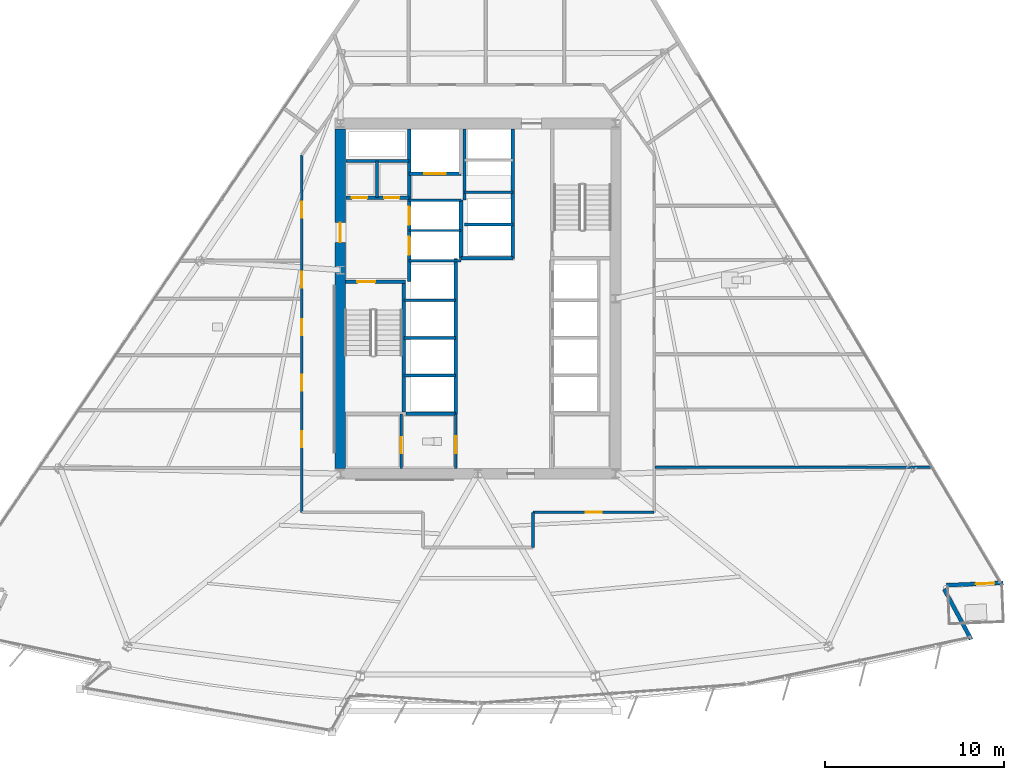
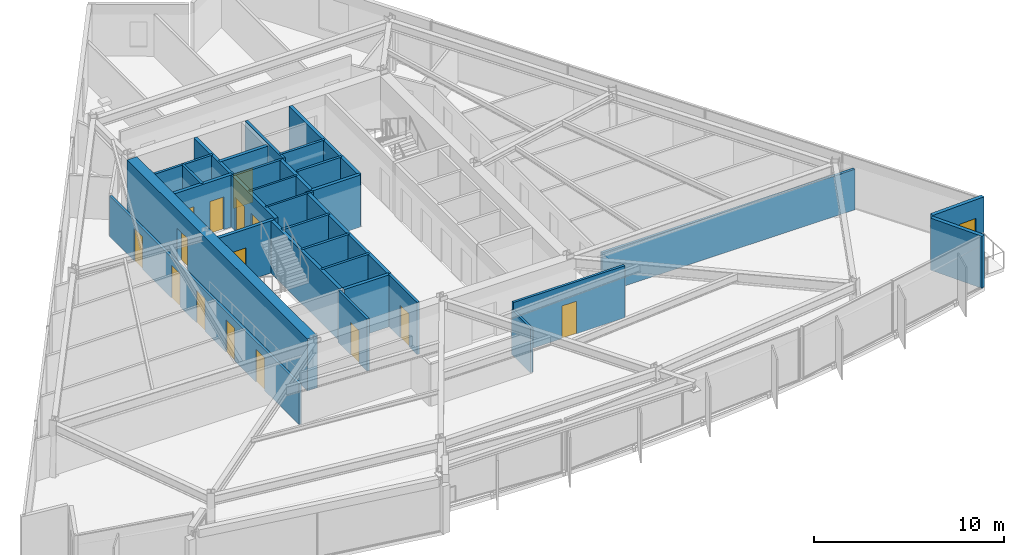
# One storey, part 9 of 17: 30 walls, 16 doors, 16 openings.
"""IFC4 building model written with IfcOpenShell, lengths in metres."""

from ifc_helpers import new_model, si_unit, direction, frame, frame_2d, origin, place, context, subcontext, project, spatial, rectangle, extrude, material, layer, layer_set, type_object, element, fill, save


model = new_model("IFC4")

# Units and contexts
model_context = context("Model", 3, precision=1e-05, world=origin(), true_north=direction((0.0, 1.0)))
body_context = subcontext(model_context, "Body", "Model", "MODEL_VIEW")
ifc_project = project(units=[si_unit("LENGTHUNIT", "METRE"), si_unit("AREAUNIT", "SQUARE_METRE"), si_unit("VOLUMEUNIT", "CUBIC_METRE"), si_unit("PLANEANGLEUNIT", "RADIAN"), si_unit("MASSUNIT", "GRAM", prefix="KILO")], contexts=[model_context])

# Site, building, storey
site_placement = place(None, origin())
site = spatial("IfcSite", under=ifc_project, at=site_placement, CompositionType="ELEMENT")
building_placement = place(site_placement, origin())
building = spatial("IfcBuilding", under=site, at=building_placement, Name="Savorim Split Tower", CompositionType="ELEMENT")
storey_placement = place(building_placement, frame((0.0, 0.0, 62.39990234375)))
storey = spatial("IfcBuildingStorey", under=building, at=storey_placement, Name="L16", CompositionType="ELEMENT", Elevation=62.39990234375)

# Wall, opening, door
ifc_material_1 = material(Name="Concrete C60/75", Category="concrete")
ifc_layer_1 = layer(ifc_material_1, 0.60009765625)
ifc_layer_set_1 = layer_set([ifc_layer_1], Name="WAL-COR-SH600")
wall_type_1 = type_object("IfcWallType", Name="WAL-COR-SH600", PredefinedType="SHEAR", material=ifc_layer_set_1)
wall_1_placement = place(storey_placement, frame((-7.699951171875, -9.10009765625, 0.0), z_axis=(0.0, 0.0, 1.0), x_axis=(0.0, 1.0, 0.0)))
wall_1 = element("IfcWall", 1, at=wall_1_placement, inside=storey, type_object=wall_type_1, Name="L16 Offset Core West Shear Wall", PredefinedType="SHEAR", context=body_context, shape_type="SweptSolid", body=[
    extrude(rectangle(XDim=19.0, YDim=0.60009765625, at=frame_2d((9.5, 0.0))), origin(), (0.0, 0.0, 1.0), 3.35009765625),
])
opening_1_placement = place(wall_1_placement, frame((12.64990234375, 0.0, 0.0)))
opening_1 = element("IfcOpeningElement", 2, at=opening_1_placement, cuts=wall_1, Name="Opening DI-03", PredefinedType="OPENING", context=body_context, shape_type="SweptSolid", body=[
    extrude(rectangle(XDim=1.10009765625, YDim=2.14990234375, at=frame_2d((0.550048828125, 1.074951171875))), frame((0.0, 0.31005859375, 0.0), z_axis=(0.0, -1.0, 0.0), x_axis=(1.0, 0.0, 0.0)), (0.0, 0.0, 1.0), 0.6201171875),
])
ifc_material_2 = material(Name="Timber Fire Door Leaf", Category="wood")
door_type_1 = type_object("IfcDoorType", Name="DOR-FIR-1100", OperationType="NOTDEFINED", PredefinedType="DOOR", material=ifc_material_2)
door_1_placement = place(opening_1_placement, origin())
door_1 = element("IfcDoor", 3, at=door_1_placement, inside=storey, type_object=door_type_1, Name="DOR-L16-COR-FFLOB - L16 Firefighting Lobby Corridor Door", OperationType="SINGLE_SWING_RIGHT", OverallHeight=2.14990234375, OverallWidth=1.10009765625, PredefinedType="DOOR", context=body_context, shape_type="SweptSolid", body=[
    extrude(rectangle(XDim=1.10009765625, YDim=2.14990234375, at=frame_2d((0.550048828125, 1.074951171875))), frame((0.0, 0.02490234375, 0.0), z_axis=(0.0, -1.0, 0.0), x_axis=(1.0, 0.0, 0.0)), (0.0, 0.0, 1.0), 0.050048828125),
])
fill(opening_1, door_1)

# Wall
ifc_material_3 = material(Name="Precast concrete C40/50", Category="concrete")
ifc_layer_2 = layer(ifc_material_3, 0.219970703125)
ifc_layer_set_2 = layer_set([ifc_layer_2], Name="WAL-EXT-CRN220")
wall_type_2 = type_object("IfcWallType", Name="WAL-EXT-CRN220", PredefinedType="SOLIDWALL", material=ifc_layer_set_2)
wall_2_placement = place(storey_placement, frame((26.085693359375, -15.852294921875, 0.0), z_axis=(0.0, 0.0, 1.0), x_axis=(0.472775670204, -0.881182821929, 0.0)))
element("IfcWall", 4, at=wall_2_placement, inside=storey, type_object=wall_type_2, Name="L16 Notched Corner Facade Wall SE1", PredefinedType="SOLIDWALL", context=body_context, shape_type="SweptSolid", body=[
    extrude(rectangle(XDim=3.189697265625, YDim=0.219970703125, at=frame_2d((1.5947265625, 0.0))), origin(), (0.0, 0.0, 1.0), 3.35009765625),
])

# Wall, opening, door
wall_3_placement = place(storey_placement, frame((29.39111328125, -15.50341796875, 0.0), z_axis=(0.0, 0.0, 1.0), x_axis=(-0.999095632957, -0.042519597906, 0.0)))
wall_3 = element("IfcWall", 5, at=wall_3_placement, inside=storey, type_object=wall_type_2, Name="L16 Notched Corner Facade Wall SE", PredefinedType="SOLIDWALL", context=body_context, shape_type="SweptSolid", body=[
    extrude(rectangle(XDim=3.186767578125, YDim=0.219970703125, at=frame_2d((1.59326171875, 0.0))), origin(), (0.0, 0.0, 1.0), 3.35009765625),
])
opening_2_placement = place(wall_3_placement, frame((0.48828125, 0.0, 0.0)))
opening_2 = element("IfcOpeningElement", 6, at=opening_2_placement, cuts=wall_3, Name="Opening DB-01", PredefinedType="OPENING", context=body_context, shape_type="SweptSolid", body=[
    extrude(rectangle(XDim=1.050048828125, YDim=2.14990234375, at=frame_2d((0.52490234375, 1.074951171875))), frame((0.0, 0.119873046875, 0.0), z_axis=(0.0, -1.0, 0.0), x_axis=(1.0, 0.0, 0.0)), (0.0, 0.0, 1.0), 0.239990234375),
])
ifc_material_4 = material(Name="Charcoal Anodised Aluminium", Category="aluminium")
door_type_2 = type_object("IfcDoorType", Name="DOR-BAL-1050", OperationType="NOTDEFINED", PredefinedType="DOOR", material=ifc_material_4)
door_2_placement = place(opening_2_placement, origin())
door_2 = element("IfcDoor", 7, at=door_2_placement, inside=storey, type_object=door_type_2, Name="DOR-L16-TBAL-SE - L16 Planted Tree Balcony Door SE", OperationType="SINGLE_SWING_LEFT", OverallHeight=2.14990234375, OverallWidth=1.050048828125, PredefinedType="DOOR", context=body_context, shape_type="SweptSolid", body=[
    extrude(rectangle(XDim=1.050048828125, YDim=2.14990234375, at=frame_2d((0.52490234375, 1.074951171875))), frame((0.0, 0.02490234375, 0.0), z_axis=(0.0, -1.0, 0.0), x_axis=(1.0, 0.0, 0.0)), (0.0, 0.0, 1.0), 0.050048828125),
])
fill(opening_2, door_2)

ifc_material_5 = material(Name="Concrete C50/60", Category="concrete")
ifc_layer_3 = layer(ifc_material_5, 0.199951171875)
ifc_layer_set_3 = layer_set([ifc_layer_3], Name="WAL-INT-RC200")
wall_type_3 = type_object("IfcWallType", Name="WAL-INT-RC200", PredefinedType="SOLIDWALL", material=ifc_layer_set_3)
wall_4_placement = place(storey_placement, frame((-7.39990234375, 1.35009765625, 0.0), z_axis=(0.0, 0.0, 1.0), x_axis=(1.0, 0.0, 0.0)))
wall_4 = element("IfcWall", 8, at=wall_4_placement, inside=storey, type_object=wall_type_3, Name="L16 Structural Shaft Wall W-L16-CR01", PredefinedType="SOLIDWALL", context=body_context, shape_type="SweptSolid", body=[
    extrude(rectangle(XDim=3.349853515625, YDim=0.199951171875, at=frame_2d((1.6748046875, 0.0))), origin(), (0.0, 0.0, 1.0), 3.35009765625),
])
opening_3_placement = place(wall_4_placement, frame((0.64990234375, 0.0, 0.0)))
opening_3 = element("IfcOpeningElement", 9, at=opening_3_placement, cuts=wall_4, Name="Opening DI-04", PredefinedType="OPENING", context=body_context, shape_type="SweptSolid", body=[
    extrude(rectangle(XDim=1.0, YDim=2.14990234375, at=frame_2d((0.5, 1.074951171875))), frame((0.0, 0.10986328125, 0.0), z_axis=(0.0, -1.0, 0.0), x_axis=(1.0, 0.0, 0.0)), (0.0, 0.0, 1.0), 0.219970703125),
])
door_type_3 = type_object("IfcDoorType", Name="DOR-FIR-1000", OperationType="NOTDEFINED", PredefinedType="DOOR", material=ifc_material_2)
door_3_placement = place(opening_3_placement, origin())
door_3 = element("IfcDoor", 10, at=door_3_placement, inside=storey, type_object=door_type_3, Name="DR-L16-ST1 - L16 Stair ST-1 Enclosure Door", OperationType="SINGLE_SWING_LEFT", OverallHeight=2.14990234375, OverallWidth=1.0, PredefinedType="DOOR", context=body_context, shape_type="SweptSolid", body=[
    extrude(rectangle(XDim=1.0, YDim=2.14990234375, at=frame_2d((0.5, 1.074951171875))), frame((0.0, 0.02490234375, 0.0), z_axis=(0.0, -1.0, 0.0), x_axis=(1.0, 0.0, 0.0)), (0.0, 0.0, 1.0), 0.050048828125),
])
fill(opening_3, door_3)

# Wall
wall_5_placement = place(storey_placement, frame((-4.14990234375, -5.949951171875, 0.0), z_axis=(0.0, 0.0, 1.0), x_axis=(0.0, 1.0, 0.0)))
element("IfcWall", 11, at=wall_5_placement, inside=storey, type_object=wall_type_3, Name="L16 Structural Shaft Wall W-L16-CR02", PredefinedType="SOLIDWALL", context=body_context, shape_type="SweptSolid", body=[
    extrude(rectangle(XDim=7.199951171875, YDim=0.199951171875, at=frame_2d((3.60009765625, 0.0))), origin(), (0.0, 0.0, 1.0), 3.35009765625),
])

# Wall, openings, doors
wall_6_placement = place(storey_placement, frame((-3.85009765625, 1.35009765625, 0.0), z_axis=(0.0, 0.0, 1.0), x_axis=(0.0, 1.0, 0.0)))
wall_6 = element("IfcWall", 12, at=wall_6_placement, inside=storey, type_object=wall_type_3, Name="L16 Partition W-L16-CR03", PredefinedType="SOLIDWALL", context=body_context, shape_type="SweptSolid", body=[
    extrude(rectangle(XDim=8.544921875, YDim=0.199951171875, at=frame_2d((4.2724609375, 0.0))), origin(), (0.0, 0.0, 1.0), 3.35009765625),
])
opening_4_placement = place(wall_6_placement, frame((1.5, 0.0, 0.0)))
opening_4 = element("IfcOpeningElement", 13, at=opening_4_placement, cuts=wall_6, Name="Opening LD-FFL", PredefinedType="OPENING", context=body_context, shape_type="SweptSolid", body=[
    extrude(rectangle(XDim=1.0, YDim=2.14990234375, at=frame_2d((0.5, 1.074951171875))), frame((0.0, 0.10986328125, 0.0), z_axis=(0.0, -1.0, 0.0), x_axis=(1.0, 0.0, 0.0)), (0.0, 0.0, 1.0), 0.219970703125),
])
opening_5_placement = place(wall_6_placement, frame((3.179931640625, 0.0, 0.0)))
opening_5 = element("IfcOpeningElement", 14, at=opening_5_placement, cuts=wall_6, Name="Opening LD-FFL", PredefinedType="OPENING", context=body_context, shape_type="SweptSolid", body=[
    extrude(rectangle(XDim=1.0, YDim=2.14990234375, at=frame_2d((0.5, 1.074951171875))), frame((0.0, 0.10986328125, 0.0), z_axis=(0.0, -1.0, 0.0), x_axis=(1.0, 0.0, 0.0)), (0.0, 0.0, 1.0), 0.219970703125),
])
door_type_4 = type_object("IfcDoorType", Name="DOR-SLD-LD1000", OperationType="NOTDEFINED", PredefinedType="DOOR", material=ifc_material_4)
door_4_placement = place(opening_4_placement, origin())
door_4 = element("IfcDoor", 15, at=door_4_placement, inside=storey, type_object=door_type_4, Name="DR-L16-LD-FFL1 - L16 Firefighting Lift FFL-1 Sliding Landing Door", OperationType="DOUBLE_DOOR_SLIDING", OverallHeight=2.14990234375, OverallWidth=1.0, PredefinedType="DOOR", context=body_context, shape_type="SweptSolid", body=[
    extrude(rectangle(XDim=1.0, YDim=2.14990234375, at=frame_2d((0.5, 1.074951171875))), frame((0.0, 0.02490234375, 0.0), z_axis=(0.0, -1.0, 0.0), x_axis=(1.0, 0.0, 0.0)), (0.0, 0.0, 1.0), 0.050048828125),
])
fill(opening_4, door_4)
door_5_placement = place(opening_5_placement, origin())
door_5 = element("IfcDoor", 16, at=door_5_placement, inside=storey, type_object=door_type_4, Name="DR-L16-LD-FFL2 - L16 Firefighting Lift FFL-2 Sliding Landing Door", OperationType="DOUBLE_DOOR_SLIDING", OverallHeight=2.14990234375, OverallWidth=1.0, PredefinedType="DOOR", context=body_context, shape_type="SweptSolid", body=[
    extrude(rectangle(XDim=1.0, YDim=2.14990234375, at=frame_2d((0.5, 1.074951171875))), frame((0.0, 0.02490234375, 0.0), z_axis=(0.0, -1.0, 0.0), x_axis=(1.0, 0.0, 0.0)), (0.0, 0.0, 1.0), 0.050048828125),
])
fill(opening_5, door_5)

wall_7_placement = place(storey_placement, frame((-7.39501953125, 6.050048828125, 0.0), z_axis=(0.0, 0.0, 1.0), x_axis=(1.0, 0.0, 0.0)))
wall_7 = element("IfcWall", 17, at=wall_7_placement, inside=storey, type_object=wall_type_3, Name="L16 Partition W-L16-CR04", PredefinedType="SOLIDWALL", context=body_context, shape_type="SweptSolid", body=[
    extrude(rectangle(XDim=3.544921875, YDim=0.199951171875, at=frame_2d((1.7724609375, 0.0))), origin(), (0.0, 0.0, 1.0), 3.35009765625),
])
opening_6_placement = place(wall_7_placement, frame((0.344970703125, 0.0, 0.0)))
opening_6 = element("IfcOpeningElement", 18, at=opening_6_placement, cuts=wall_7, Name="Opening DI-12", PredefinedType="OPENING", context=body_context, shape_type="SweptSolid", body=[
    extrude(rectangle(XDim=0.85009765625, YDim=2.10009765625, at=frame_2d((0.425048828125, 1.050048828125))), frame((0.0, 0.10986328125, 0.0), z_axis=(0.0, -1.0, 0.0), x_axis=(1.0, 0.0, 0.0)), (0.0, 0.0, 1.0), 0.219970703125),
])
opening_7_placement = place(wall_7_placement, frame((2.14501953125, 0.0, 0.0)))
opening_7 = element("IfcOpeningElement", 19, at=opening_7_placement, cuts=wall_7, Name="Opening DI-12", PredefinedType="OPENING", context=body_context, shape_type="SweptSolid", body=[
    extrude(rectangle(XDim=0.85009765625, YDim=2.10009765625, at=frame_2d((0.425048828125, 1.050048828125))), frame((0.0, 0.10986328125, 0.0), z_axis=(0.0, -1.0, 0.0), x_axis=(1.0, 0.0, 0.0)), (0.0, 0.0, 1.0), 0.219970703125),
])
ifc_material_6 = material(Name="Galvanised Painted Steel Balustrade", Category="steel")
door_type_5 = type_object("IfcDoorType", Name="DOR-RIS-850", OperationType="NOTDEFINED", PredefinedType="DOOR", material=ifc_material_6)
door_6_placement = place(opening_6_placement, origin())
door_6 = element("IfcDoor", 20, at=door_6_placement, inside=storey, type_object=door_type_5, Name="DR-L16-ELR - L16 Electrical Riser Access Door", OperationType="SINGLE_SWING_RIGHT", OverallHeight=2.10009765625, OverallWidth=0.85009765625, PredefinedType="DOOR", context=body_context, shape_type="SweptSolid", body=[
    extrude(rectangle(XDim=0.85009765625, YDim=2.10009765625, at=frame_2d((0.425048828125, 1.050048828125))), frame((0.0, 0.02490234375, 0.0), z_axis=(0.0, -1.0, 0.0), x_axis=(1.0, 0.0, 0.0)), (0.0, 0.0, 1.0), 0.050048828125),
])
fill(opening_6, door_6)
door_7_placement = place(opening_7_placement, origin())
door_7 = element("IfcDoor", 21, at=door_7_placement, inside=storey, type_object=door_type_5, Name="DR-L16-TLR - L16 Telecom Riser Access Door", OperationType="SINGLE_SWING_LEFT", OverallHeight=2.10009765625, OverallWidth=0.85009765625, PredefinedType="DOOR", context=body_context, shape_type="SweptSolid", body=[
    extrude(rectangle(XDim=0.85009765625, YDim=2.10009765625, at=frame_2d((0.425048828125, 1.050048828125))), frame((0.0, 0.02490234375, 0.0), z_axis=(0.0, -1.0, 0.0), x_axis=(1.0, 0.0, 0.0)), (0.0, 0.0, 1.0), 0.050048828125),
])
fill(opening_7, door_7)

# Wall
wall_8_placement = place(storey_placement, frame((-0.949951171875, 2.64990234375, 0.0), z_axis=(0.0, 0.0, 1.0), x_axis=(0.0, 1.0, 0.0)))
element("IfcWall", 22, at=wall_8_placement, inside=storey, type_object=wall_type_3, Name="L16 Partition W-L16-FFLW", PredefinedType="SOLIDWALL", context=body_context, shape_type="SweptSolid", body=[
    extrude(rectangle(XDim=3.27001953125, YDim=0.199951171875, at=frame_2d((1.635009765625, 0.0))), origin(), (0.0, 0.0, 1.0), 3.35009765625),
])

# Wall, opening, door
wall_9_placement = place(storey_placement, frame((-3.85009765625, 7.3798828125, 0.0), z_axis=(0.0, 0.0, 1.0), x_axis=(1.0, 0.0, 0.0)))
wall_9 = element("IfcWall", 23, at=wall_9_placement, inside=storey, type_object=wall_type_3, Name="L16 Partition W-L16-SVLS", PredefinedType="SOLIDWALL", context=body_context, shape_type="SweptSolid", body=[
    extrude(rectangle(XDim=2.900146484375, YDim=0.199951171875, at=frame_2d((1.4501953125, 0.0))), origin(), (0.0, 0.0, 1.0), 3.35009765625),
])
opening_8_placement = place(wall_9_placement, frame((0.85009765625, 0.0, 0.0)))
opening_8 = element("IfcOpeningElement", 24, at=opening_8_placement, cuts=wall_9, Name="Opening LD-SV", PredefinedType="OPENING", context=body_context, shape_type="SweptSolid", body=[
    extrude(rectangle(XDim=1.199951171875, YDim=2.199951171875, at=frame_2d((0.60009765625, 1.10009765625))), frame((0.0, 0.10986328125, 0.0), z_axis=(0.0, -1.0, 0.0), x_axis=(1.0, 0.0, 0.0)), (0.0, 0.0, 1.0), 0.219970703125),
])
door_type_6 = type_object("IfcDoorType", Name="DOR-SLD-SV1200", OperationType="NOTDEFINED", PredefinedType="DOOR", material=ifc_material_4)
door_8_placement = place(opening_8_placement, origin())
door_8 = element("IfcDoor", 25, at=door_8_placement, inside=storey, type_object=door_type_6, Name="DR-L16-LD-SVL1 - L16 Service Lift SVL-1 Sliding Landing Door", OperationType="DOUBLE_DOOR_SLIDING", OverallHeight=2.199951171875, OverallWidth=1.199951171875, PredefinedType="DOOR", context=body_context, shape_type="SweptSolid", body=[
    extrude(rectangle(XDim=1.199951171875, YDim=2.199951171875, at=frame_2d((0.60009765625, 1.10009765625))), frame((0.0, 0.02490234375, 0.0), z_axis=(0.0, -1.0, 0.0), x_axis=(1.0, 0.0, 0.0)), (0.0, 0.0, 1.0), 0.050048828125),
])
fill(opening_8, door_8)

# Walls
wall_10_placement = place(storey_placement, frame((-1.25, -6.050048828125, 0.0), z_axis=(0.0, 0.0, 1.0), x_axis=(0.0, 1.0, 0.0)))
element("IfcWall", 26, at=wall_10_placement, inside=storey, type_object=wall_type_3, Name="L16 Partition W-L16-B2FRONT", PredefinedType="SOLIDWALL", context=body_context, shape_type="SweptSolid", body=[
    extrude(rectangle(XDim=8.699951171875, YDim=0.199951171875, at=frame_2d((4.35009765625, 0.0))), origin(), (0.0, 0.0, 1.0), 3.35009765625),
])
wall_11_placement = place(storey_placement, frame((1.949951171875, 2.64990234375, 0.0), z_axis=(0.0, 0.0, 1.0), x_axis=(0.0, 1.0, 0.0)))
element("IfcWall", 27, at=wall_11_placement, inside=storey, type_object=wall_type_3, Name="L16 Partition W-L16-B3FRONT", PredefinedType="SOLIDWALL", context=body_context, shape_type="SweptSolid", body=[
    extrude(rectangle(XDim=7.2451171875, YDim=0.199951171875, at=frame_2d((3.62255859375, 0.0))), origin(), (0.0, 0.0, 1.0), 3.35009765625),
])
wall_12_placement = place(storey_placement, frame((-0.949951171875, 2.64990234375, 0.0), z_axis=(0.0, 0.0, 1.0), x_axis=(1.0, 0.0, 0.0)))
element("IfcWall", 28, at=wall_12_placement, inside=storey, type_object=wall_type_3, Name="L16 Partition W-L16-B3SOUTH", PredefinedType="SOLIDWALL", context=body_context, shape_type="SweptSolid", body=[
    extrude(rectangle(XDim=2.89990234375, YDim=0.199951171875, at=frame_2d((1.449951171875, 0.0))), origin(), (0.0, 0.0, 1.0), 3.35009765625),
])
wall_13_placement = place(storey_placement, frame((-4.0400390625, -6.050048828125, 0.0), z_axis=(0.0, 0.0, 1.0), x_axis=(1.0, 0.0, 0.0)))
element("IfcWall", 29, at=wall_13_placement, inside=storey, type_object=wall_type_3, Name="L16 Partition W-L16-KSEP-W2", PredefinedType="SOLIDWALL", context=body_context, shape_type="SweptSolid", body=[
    extrude(rectangle(XDim=2.7900390625, YDim=0.199951171875, at=frame_2d((1.39501953125, 0.0))), origin(), (0.0, 0.0, 1.0), 3.35009765625),
])
ifc_material_7 = material(Name="Acoustic Gypsum Partition Board")
ifc_layer_4 = layer(ifc_material_7, 0.1201171875)
ifc_layer_set_4 = layer_set([ifc_layer_4], Name="WAL-PAR-120")
wall_type_4 = type_object("IfcWallType", Name="WAL-PAR-120", PredefinedType="PARTITIONING", material=ifc_layer_set_4)
for number, where, z_axis, x_axis, name in (
    (30, (-3.85009765625, 2.52001953125, 0.0), (0.0, 0.0, 1.0), (1.0, 0.0, 0.0), "L16 Partition W-L16-FFLD0"),
    (31, (-3.85009765625, 4.219970703125, 0.0), (0.0, 0.0, 1.0), (1.0, 0.0, 0.0), "L16 Partition W-L16-FFLD1"),
):
    element("IfcWall", number, at=place(storey_placement, frame(where, z_axis=z_axis, x_axis=x_axis)), inside=storey, type_object=wall_type_4, Name=name, PredefinedType="PARTITIONING", context=body_context, shape_type="SweptSolid", body=[
        extrude(rectangle(XDim=2.900146484375, YDim=0.1201171875, at=frame_2d((1.4501953125, 0.0))), origin(), (0.0, 0.0, 1.0), 3.35009765625),
    ])
ifc_layer_5 = layer(ifc_material_7, 0.14990234375)
ifc_layer_set_5 = layer_set([ifc_layer_5], Name="WAL-PAR-150")
wall_type_5 = type_object("IfcWallType", Name="WAL-PAR-150", PredefinedType="PARTITIONING", material=ifc_layer_set_5)
wall_14_placement = place(storey_placement, frame((-7.39501953125, 8.10009765625, 0.0), z_axis=(0.0, 0.0, 1.0), x_axis=(1.0, 0.0, 0.0)))
element("IfcWall", 32, at=wall_14_placement, inside=storey, type_object=wall_type_5, Name="L16 Partition W-L16-CR05", PredefinedType="PARTITIONING", context=body_context, shape_type="SweptSolid", body=[
    extrude(rectangle(XDim=3.544921875, YDim=0.14990234375, at=frame_2d((1.7724609375, 0.0))), origin(), (0.0, 0.0, 1.0), 3.35009765625),
])
wall_15_placement = place(storey_placement, frame((-5.64990234375, 6.050048828125, 0.0), z_axis=(0.0, 0.0, 1.0), x_axis=(0.0, 1.0, 0.0)))
element("IfcWall", 33, at=wall_15_placement, inside=storey, type_object=wall_type_5, Name="L16 Partition W-L16-CR06", PredefinedType="PARTITIONING", context=body_context, shape_type="SweptSolid", body=[
    extrude(rectangle(XDim=2.050048828125, YDim=0.14990234375, at=frame_2d((1.02490234375, 0.0))), origin(), (0.0, 0.0, 1.0), 3.35009765625),
])
wall_16_placement = place(storey_placement, frame((-3.85009765625, 5.89990234375, 0.0), z_axis=(0.0, 0.0, 1.0), x_axis=(1.0, 0.0, 0.0)))
element("IfcWall", 34, at=wall_16_placement, inside=storey, type_object=wall_type_5, Name="L16 Partition W-L16-FFLD2", PredefinedType="PARTITIONING", context=body_context, shape_type="SweptSolid", body=[
    extrude(rectangle(XDim=2.900146484375, YDim=0.14990234375, at=frame_2d((1.4501953125, 0.0))), origin(), (0.0, 0.0, 1.0), 3.35009765625),
])
for number, where, z_axis, x_axis, name in (
    (35, (-4.14990234375, -3.89990234375, 0.0), (0.0, 0.0, 1.0), (1.0, 0.0, 0.0), "L16 Partition W-L16-B2DIV1"),
    (36, (-4.14990234375, -1.800048828125, 0.0), (0.0, 0.0, 1.0), (1.0, 0.0, 0.0), "L16 Partition W-L16-B2DIV2"),
    (37, (-4.14990234375, 0.300048828125, 0.0), (0.0, 0.0, 1.0), (1.0, 0.0, 0.0), "L16 Partition W-L16-B2DIV3"),
):
    element("IfcWall", number, at=place(storey_placement, frame(where, z_axis=z_axis, x_axis=x_axis)), inside=storey, type_object=wall_type_5, Name=name, PredefinedType="PARTITIONING", context=body_context, shape_type="SweptSolid", body=[
        extrude(rectangle(XDim=2.89990234375, YDim=0.14990234375, at=frame_2d((1.449951171875, 0.0))), origin(), (0.0, 0.0, 1.0), 3.35009765625),
    ])
wall_17_placement = place(storey_placement, frame((-0.75, 5.919921875, 0.0), z_axis=(0.0, 0.0, 1.0), x_axis=(0.0, 1.0, 0.0)))
element("IfcWall", 38, at=wall_17_placement, inside=storey, type_object=wall_type_5, Name="L16 Partition W-L16-B3WEST", PredefinedType="PARTITIONING", context=body_context, shape_type="SweptSolid", body=[
    extrude(rectangle(XDim=3.97509765625, YDim=0.14990234375, at=frame_2d((1.987548828125, 0.0))), origin(), (0.0, 0.0, 1.0), 3.35009765625),
])
for number, where, z_axis, x_axis, name in (
    (39, (-0.75, 4.550048828125, 0.0), (0.0, 0.0, 1.0), (1.0, 0.0, 0.0), "L16 Partition W-L16-B3DIV1"),
    (40, (-0.75, 6.35009765625, 0.0), (0.0, 0.0, 1.0), (1.0, 0.0, 0.0), "L16 Partition W-L16-B3DIV2"),
):
    element("IfcWall", number, at=place(storey_placement, frame(where, z_axis=z_axis, x_axis=x_axis)), inside=storey, type_object=wall_type_5, Name=name, PredefinedType="PARTITIONING", context=body_context, shape_type="SweptSolid", body=[
        extrude(rectangle(XDim=2.699951171875, YDim=0.14990234375, at=frame_2d((1.35009765625, 0.0))), origin(), (0.0, 0.0, 1.0), 3.35009765625),
    ])

# Wall, opening, door
wall_18_placement = place(storey_placement, frame((-1.25, -9.094970703125, 0.0), z_axis=(0.0, 0.0, 1.0), x_axis=(0.0, 1.0, 0.0)))
wall_18 = element("IfcWall", 41, at=wall_18_placement, inside=storey, type_object=wall_type_5, Name="L16 Partition W-L16-KLOB-W", PredefinedType="PARTITIONING", context=body_context, shape_type="SweptSolid", body=[
    extrude(rectangle(XDim=3.044921875, YDim=0.14990234375, at=frame_2d((1.5224609375, 0.0))), origin(), (0.0, 0.0, 1.0), 3.35009765625),
])
opening_9_placement = place(wall_18_placement, frame((0.844970703125, 0.0, 0.0)))
opening_9 = element("IfcOpeningElement", 42, at=opening_9_placement, cuts=wall_18, Name="Opening DI-10", PredefinedType="OPENING", context=body_context, shape_type="SweptSolid", body=[
    extrude(rectangle(XDim=0.949951171875, YDim=2.10009765625, at=frame_2d((0.47509765625, 1.050048828125))), frame((0.0, 0.0849609375, 0.0), z_axis=(0.0, -1.0, 0.0), x_axis=(1.0, 0.0, 0.0)), (0.0, 0.0, 1.0), 0.169921875),
])
ifc_material_8 = material(Name="Oak Veneer Acoustic Door")
door_type_7 = type_object("IfcDoorType", Name="DOR-WC-950", OperationType="NOTDEFINED", PredefinedType="DOOR", material=ifc_material_8)
door_9_placement = place(opening_9_placement, origin())
door_9 = element("IfcDoor", 43, at=door_9_placement, inside=storey, type_object=door_type_7, Name="DR-L16-K1WC - L16 Core Accessible WC Door", OperationType="SINGLE_SWING_LEFT", OverallHeight=2.10009765625, OverallWidth=0.949951171875, PredefinedType="DOOR", context=body_context, shape_type="SweptSolid", body=[
    extrude(rectangle(XDim=0.949951171875, YDim=2.10009765625, at=frame_2d((0.47509765625, 1.050048828125))), frame((0.0, 0.02490234375, 0.0), z_axis=(0.0, -1.0, 0.0), x_axis=(1.0, 0.0, 0.0)), (0.0, 0.0, 1.0), 0.050048828125),
])
fill(opening_9, door_9)

wall_19_placement = place(storey_placement, frame((-4.300048828125, -9.094970703125, 0.0), z_axis=(0.0, 0.0, 1.0), x_axis=(0.0, 1.0, 0.0)))
wall_19 = element("IfcWall", 44, at=wall_19_placement, inside=storey, type_object=wall_type_5, Name="L16 Partition W-L16-K1W", PredefinedType="PARTITIONING", context=body_context, shape_type="SweptSolid", body=[
    extrude(rectangle(XDim=3.044921875, YDim=0.14990234375, at=frame_2d((1.5224609375, 0.0))), origin(), (0.0, 0.0, 1.0), 3.35009765625),
])
opening_10_placement = place(wall_19_placement, frame((0.844970703125, 0.0, 0.0)))
opening_10 = element("IfcOpeningElement", 45, at=opening_10_placement, cuts=wall_19, Name="Opening DI-06", PredefinedType="OPENING", context=body_context, shape_type="SweptSolid", body=[
    extrude(rectangle(XDim=0.89990234375, YDim=2.10009765625, at=frame_2d((0.449951171875, 1.050048828125))), frame((0.0, 0.0849609375, 0.0), z_axis=(0.0, -1.0, 0.0), x_axis=(1.0, 0.0, 0.0)), (0.0, 0.0, 1.0), 0.169921875),
])
door_type_8 = type_object("IfcDoorType", Name="DOR-FIR-900", OperationType="NOTDEFINED", PredefinedType="DOOR", material=ifc_material_2)
door_10_placement = place(opening_10_placement, origin())
door_10 = element("IfcDoor", 46, at=door_10_placement, inside=storey, type_object=door_type_8, Name="DR-L16-K1HK - L16 Housekeeping Store Door", OperationType="SINGLE_SWING_RIGHT", OverallHeight=2.10009765625, OverallWidth=0.89990234375, PredefinedType="DOOR", context=body_context, shape_type="SweptSolid", body=[
    extrude(rectangle(XDim=0.89990234375, YDim=2.10009765625, at=frame_2d((0.449951171875, 1.050048828125))), frame((0.0, 0.02490234375, 0.0), z_axis=(0.0, -1.0, 0.0), x_axis=(1.0, 0.0, 0.0)), (0.0, 0.0, 1.0), 0.050048828125),
])
fill(opening_10, door_10)

# Wall, openings, doors
wall_20_placement = place(storey_placement, frame((-9.860107421875, -11.56005859375, 0.0), z_axis=(0.0, 0.0, 1.0), x_axis=(0.0, 1.0, 0.0)))
wall_20 = element("IfcWall", 47, at=wall_20_placement, inside=storey, type_object=wall_type_5, Name="L16 Partition W-L16-COR-01", PredefinedType="PARTITIONING", context=body_context, shape_type="SweptSolid", body=[
    extrude(rectangle(XDim=19.98583984375, YDim=0.14990234375, at=frame_2d((9.992919921875, 0.0))), origin(), (0.0, 0.0, 1.0), 2.609130859375),
])
opening_11_placement = place(wall_20_placement, frame((9.917236328125, 0.0, 0.0)))
opening_11 = element("IfcOpeningElement", 48, at=opening_11_placement, cuts=wall_20, Name="Opening DI-06", PredefinedType="OPENING", context=body_context, shape_type="SweptSolid", body=[
    extrude(rectangle(XDim=0.89990234375, YDim=2.10009765625, at=frame_2d((0.449951171875, 1.050048828125))), frame((0.0, 0.0849609375, 0.0), z_axis=(0.0, -1.0, 0.0), x_axis=(1.0, 0.0, 0.0)), (0.0, 0.0, 1.0), 0.169921875),
])
opening_12_placement = place(wall_20_placement, frame((6.798828125, 0.0, 0.0)))
opening_12 = element("IfcOpeningElement", 49, at=opening_12_placement, cuts=wall_20, Name="Opening DI-06", PredefinedType="OPENING", context=body_context, shape_type="SweptSolid", body=[
    extrude(rectangle(XDim=0.89990234375, YDim=2.10009765625, at=frame_2d((0.449951171875, 1.050048828125))), frame((0.0, 0.0849609375, 0.0), z_axis=(0.0, -1.0, 0.0), x_axis=(1.0, 0.0, 0.0)), (0.0, 0.0, 1.0), 0.169921875),
])
opening_13_placement = place(wall_20_placement, frame((3.64501953125, 0.0, 0.0)))
opening_13 = element("IfcOpeningElement", 50, at=opening_13_placement, cuts=wall_20, Name="Opening DI-06", PredefinedType="OPENING", context=body_context, shape_type="SweptSolid", body=[
    extrude(rectangle(XDim=0.89990234375, YDim=2.10009765625, at=frame_2d((0.449951171875, 1.050048828125))), frame((0.0, 0.0849609375, 0.0), z_axis=(0.0, -1.0, 0.0), x_axis=(1.0, 0.0, 0.0)), (0.0, 0.0, 1.0), 0.169921875),
])
opening_14_placement = place(wall_20_placement, frame((16.49072265625, 0.0, 0.0)))
opening_14 = element("IfcOpeningElement", 51, at=opening_14_placement, cuts=wall_20, Name="Opening DI-06", PredefinedType="OPENING", context=body_context, shape_type="SweptSolid", body=[
    extrude(rectangle(XDim=0.89990234375, YDim=2.10009765625, at=frame_2d((0.449951171875, 1.050048828125))), frame((0.0, 0.0849609375, 0.0), z_axis=(0.0, -1.0, 0.0), x_axis=(1.0, 0.0, 0.0)), (0.0, 0.0, 1.0), 0.169921875),
])
opening_15_placement = place(wall_20_placement, frame((12.55908203125, 0.0, 0.0)))
opening_15 = element("IfcOpeningElement", 52, at=opening_15_placement, cuts=wall_20, Name="Opening DI-06", PredefinedType="OPENING", context=body_context, shape_type="SweptSolid", body=[
    extrude(rectangle(XDim=0.89990234375, YDim=2.10009765625, at=frame_2d((0.449951171875, 1.050048828125))), frame((0.0, 0.0849609375, 0.0), z_axis=(0.0, -1.0, 0.0), x_axis=(1.0, 0.0, 0.0)), (0.0, 0.0, 1.0), 0.169921875),
])
door_11_placement = place(opening_11_placement, origin())
door_11 = element("IfcDoor", 53, at=door_11_placement, inside=storey, type_object=door_type_8, Name="DR-L16-RM01 - L16 Shared Kitchen Entry Door", OperationType="SINGLE_SWING_RIGHT", OverallHeight=2.10009765625, OverallWidth=0.89990234375, PredefinedType="DOOR", context=body_context, shape_type="SweptSolid", body=[
    extrude(rectangle(XDim=0.89990234375, YDim=2.10009765625, at=frame_2d((0.449951171875, 1.050048828125))), frame((0.0, 0.02490234375, 0.0), z_axis=(0.0, -1.0, 0.0), x_axis=(1.0, 0.0, 0.0)), (0.0, 0.0, 1.0), 0.050048828125),
])
fill(opening_11, door_11)
door_12_placement = place(opening_12_placement, origin())
door_12 = element("IfcDoor", 54, at=door_12_placement, inside=storey, type_object=door_type_8, Name="DR-L16-RM02 - L16 Maker Workshop Entry Door", OperationType="SINGLE_SWING_LEFT", OverallHeight=2.10009765625, OverallWidth=0.89990234375, PredefinedType="DOOR", context=body_context, shape_type="SweptSolid", body=[
    extrude(rectangle(XDim=0.89990234375, YDim=2.10009765625, at=frame_2d((0.449951171875, 1.050048828125))), frame((0.0, 0.02490234375, 0.0), z_axis=(0.0, -1.0, 0.0), x_axis=(1.0, 0.0, 0.0)), (0.0, 0.0, 1.0), 0.050048828125),
])
fill(opening_12, door_12)
door_13_placement = place(opening_13_placement, origin())
door_13 = element("IfcDoor", 55, at=door_13_placement, inside=storey, type_object=door_type_8, Name="DR-L16-RM03 - L16 Maker Workshop Entry Door", OperationType="SINGLE_SWING_RIGHT", OverallHeight=2.10009765625, OverallWidth=0.89990234375, PredefinedType="DOOR", context=body_context, shape_type="SweptSolid", body=[
    extrude(rectangle(XDim=0.89990234375, YDim=2.10009765625, at=frame_2d((0.449951171875, 1.050048828125))), frame((0.0, 0.02490234375, 0.0), z_axis=(0.0, -1.0, 0.0), x_axis=(1.0, 0.0, 0.0)), (0.0, 0.0, 1.0), 0.050048828125),
])
fill(opening_13, door_13)
door_14_placement = place(opening_14_placement, origin())
door_14 = element("IfcDoor", 56, at=door_14_placement, inside=storey, type_object=door_type_8, Name="DR-L16-RM17 - L16 Maker Workshop Entry Door", OperationType="SINGLE_SWING_RIGHT", OverallHeight=2.10009765625, OverallWidth=0.89990234375, PredefinedType="DOOR", context=body_context, shape_type="SweptSolid", body=[
    extrude(rectangle(XDim=0.89990234375, YDim=2.10009765625, at=frame_2d((0.449951171875, 1.050048828125))), frame((0.0, 0.02490234375, 0.0), z_axis=(0.0, -1.0, 0.0), x_axis=(1.0, 0.0, 0.0)), (0.0, 0.0, 1.0), 0.050048828125),
])
fill(opening_14, door_14)
door_15_placement = place(opening_15_placement, origin())
door_15 = element("IfcDoor", 57, at=door_15_placement, inside=storey, type_object=door_type_8, Name="DR-L16-RM18 - L16 Maker Workshop Entry Door", OperationType="SINGLE_SWING_LEFT", OverallHeight=2.10009765625, OverallWidth=0.89990234375, PredefinedType="DOOR", context=body_context, shape_type="SweptSolid", body=[
    extrude(rectangle(XDim=0.89990234375, YDim=2.10009765625, at=frame_2d((0.449951171875, 1.050048828125))), frame((0.0, 0.02490234375, 0.0), z_axis=(0.0, -1.0, 0.0), x_axis=(1.0, 0.0, 0.0)), (0.0, 0.0, 1.0), 0.050048828125),
])
fill(opening_15, door_15)

# Wall, opening, door
wall_21_placement = place(storey_placement, frame((9.860107421875, -11.56005859375, 0.0), z_axis=(0.0, 0.0, 1.0), x_axis=(-1.0, 0.0, 0.0)))
wall_21 = element("IfcWall", 58, at=wall_21_placement, inside=storey, type_object=wall_type_5, Name="L16 Partition W-L16-COR-06", PredefinedType="PARTITIONING", context=body_context, shape_type="SweptSolid", body=[
    extrude(rectangle(XDim=6.780029296875, YDim=0.14990234375, at=frame_2d((3.39013671875, 0.0))), origin(), (0.0, 0.0, 1.0), 3.35009765625),
])
opening_16_placement = place(wall_21_placement, frame((2.93994140625, 0.0, 0.0)))
opening_16 = element("IfcOpeningElement", 59, at=opening_16_placement, cuts=wall_21, Name="Opening DI-06", PredefinedType="OPENING", context=body_context, shape_type="SweptSolid", body=[
    extrude(rectangle(XDim=0.89990234375, YDim=2.10009765625, at=frame_2d((0.449951171875, 1.050048828125))), frame((0.0, 0.0849609375, 0.0), z_axis=(0.0, -1.0, 0.0), x_axis=(1.0, 0.0, 0.0)), (0.0, 0.0, 1.0), 0.169921875),
])
door_16_placement = place(opening_16_placement, origin())
door_16 = element("IfcDoor", 60, at=door_16_placement, inside=storey, type_object=door_type_8, Name="DR-L16-RM04 - L16 Maker Workshop Entry Door", OperationType="SINGLE_SWING_LEFT", OverallHeight=2.10009765625, OverallWidth=0.89990234375, PredefinedType="DOOR", context=body_context, shape_type="SweptSolid", body=[
    extrude(rectangle(XDim=0.89990234375, YDim=2.10009765625, at=frame_2d((0.449951171875, 1.050048828125))), frame((0.0, 0.02490234375, 0.0), z_axis=(0.0, -1.0, 0.0), x_axis=(1.0, 0.0, 0.0)), (0.0, 0.0, 1.0), 0.050048828125),
])
fill(opening_16, door_16)

# Walls
wall_22_placement = place(storey_placement, frame((3.080078125, -11.56005859375, 0.0), z_axis=(0.0, 0.0, 1.0), x_axis=(0.0, -1.0, 0.0)))
element("IfcWall", 61, at=wall_22_placement, inside=storey, type_object=wall_type_5, Name="L16 Partition W-L16-COR-07", PredefinedType="PARTITIONING", context=body_context, shape_type="SweptSolid", body=[
    extrude(rectangle(XDim=1.969970703125, YDim=0.14990234375, at=frame_2d((0.98486328125, 0.0))), origin(), (0.0, 0.0, 1.0), 2.875),
])
wall_23_placement = place(storey_placement, frame((9.919921875, -9.0283203125, 0.0), z_axis=(0.0, 0.0, 1.0), x_axis=(1.0, 0.0, 0.0)))
element("IfcWall", 62, at=wall_23_placement, inside=storey, type_object=wall_type_5, Name="L16 Partition W-L16-PRAD05", PredefinedType="PARTITIONING", context=body_context, shape_type="SweptSolid", body=[
    extrude(rectangle(XDim=15.398193359375, YDim=0.14990234375, at=frame_2d((7.69921875, 0.0))), origin(), (0.0, 0.0, 1.0), 2.609130859375),
])

save(model, "model.ifc")
